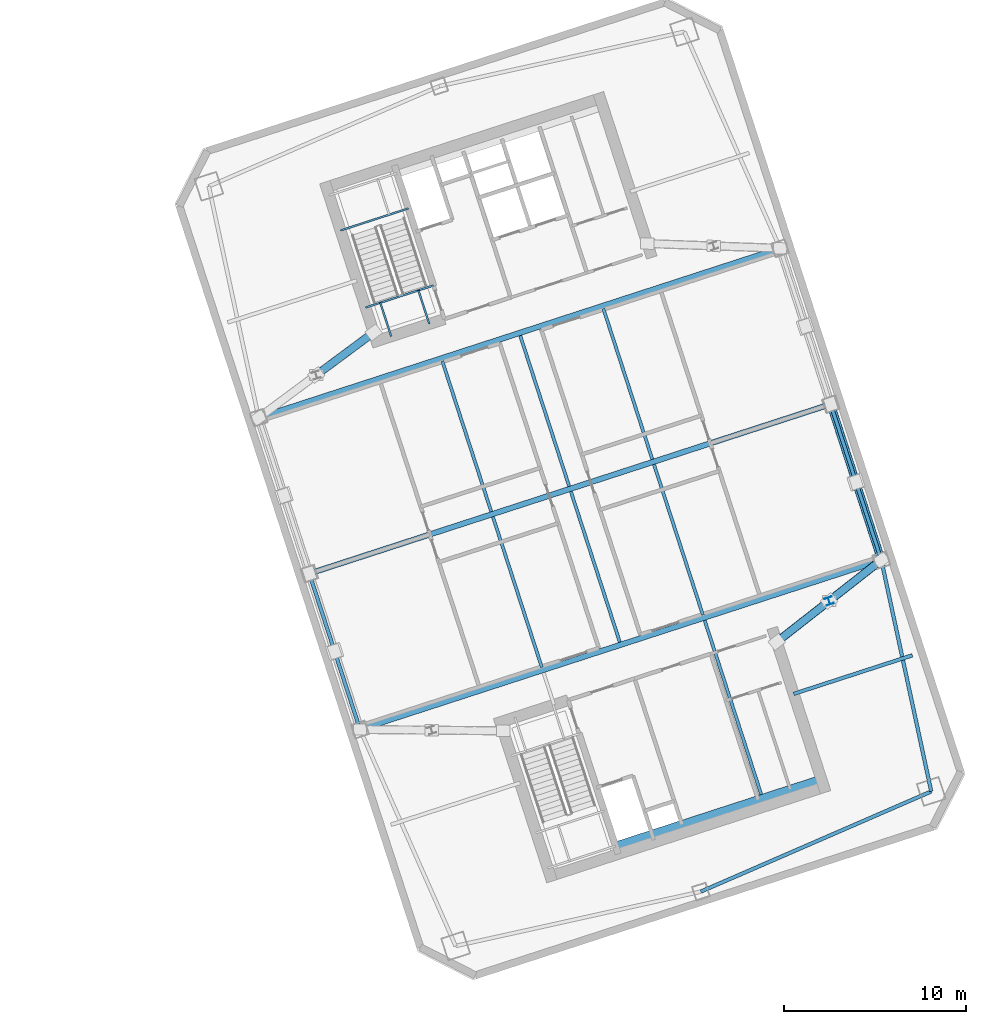
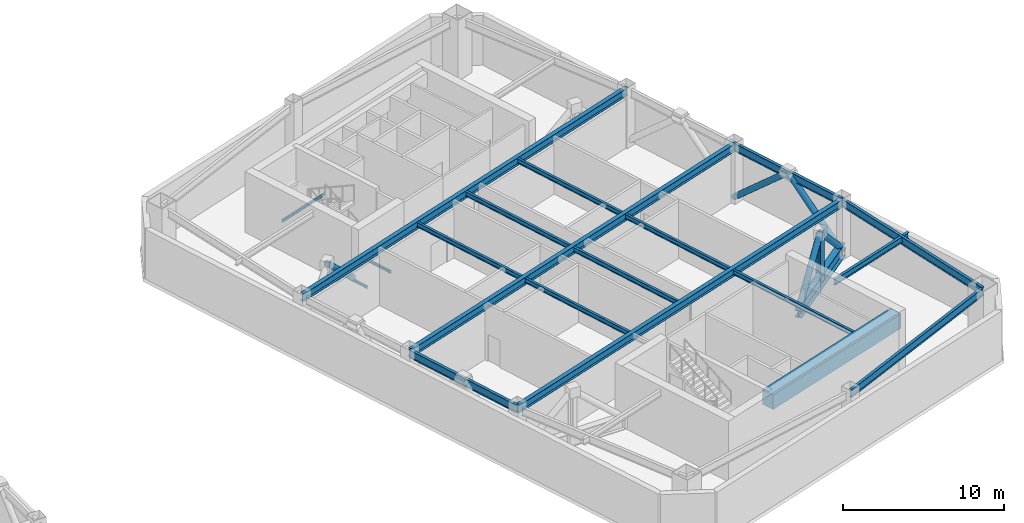
# One storey, part 7 of 17: 21 beams, 6 members.
"""IFC4 building model written with IfcOpenShell, lengths in metres."""

from ifc_helpers import new_model, si_unit, direction, frame, origin, origin_2d, place, context, subcontext, project, spatial, rectangle, hollow_circle, i_section, extrude, material, material_profile, profile_set, type_object, element, save


model = new_model("IFC4")

# Units and contexts
model_context = context("Model", 3, precision=1e-05, world=origin(), true_north=direction((0.0, 1.0)))
body_context = subcontext(model_context, "Body", "Model", "MODEL_VIEW")
ifc_project = project(units=[si_unit("LENGTHUNIT", "METRE"), si_unit("AREAUNIT", "SQUARE_METRE"), si_unit("VOLUMEUNIT", "CUBIC_METRE"), si_unit("PLANEANGLEUNIT", "RADIAN"), si_unit("MASSUNIT", "GRAM", prefix="KILO")], contexts=[model_context])

# Site, building, storey
site_placement = place(None, origin())
site = spatial("IfcSite", under=ifc_project, at=site_placement, CompositionType="ELEMENT")
building_placement = place(site_placement, origin())
building = spatial("IfcBuilding", under=site, at=building_placement, Name="Qiaolan Cultural Towers", CompositionType="ELEMENT")
storey_placement = place(building_placement, frame((0.0, 0.0, 184.0)))
storey = spatial("IfcBuildingStorey", under=building, at=storey_placement, Name="L49", CompositionType="ELEMENT", Elevation=184.0)

# Beams
ifc_material_1 = material(Name="Steel Q390GJB", Category="steel")
ifc_material_profile_1 = material_profile(ifc_material_1, i_section(OverallWidth=0.449951171875, OverallDepth=1.0, WebThickness=0.02392578125, FlangeThickness=0.0400390625, at=origin_2d()), Name="BH1000x450x24x40")
ifc_profile_set_1 = profile_set([ifc_material_profile_1], Name="Steel Q390GJB")
beam_type_1 = type_object("IfcBeamType", Name="BM-BH1000x450x24x40", PredefinedType="BEAM", material=ifc_profile_set_1)
beam_1_placement = place(storey_placement, frame((101.352294921875, 25.5966796875, 0.5), z_axis=(0.787455543468, 0.616371452179, 0.0), x_axis=(-0.616371452179, 0.787455543468, 0.0)))
element("IfcBeam", 1, at=beam_1_placement, inside=storey, type_object=beam_type_1, Name="L49 T2 Outrigger Bottom Chord Girder ES", PredefinedType="BEAM", context=body_context, shape_type="SweptSolid", body=[
    extrude(i_section(OverallWidth=0.449951171875, OverallDepth=1.0, WebThickness=0.02392578125, FlangeThickness=0.0400390625, at=origin_2d()), origin(), (0.0, 0.0, 1.0), 7.2919921875),
])
ifc_material_2 = material(Name="Steel Q355B", Category="steel")
ifc_material_profile_2 = material_profile(ifc_material_2, i_section(OverallWidth=0.300048828125, OverallDepth=0.587890625, WebThickness=0.011962890625, FlangeThickness=0.02001953125, at=origin_2d()), Name="HM588x300x12x20")
ifc_profile_set_2 = profile_set([ifc_material_profile_2], Name="Steel Q355B")
beam_type_2 = type_object("IfcBeamType", Name="BM-HM588x300x12x20", PredefinedType="BEAM", material=ifc_profile_set_2)
beam_2_placement = place(storey_placement, frame((78.4677734375, 20.789794921875, 4.0458984375), z_axis=(0.951055226628, 0.309020963535, 0.0), x_axis=(-0.309020963535, 0.951055226628, 0.0)))
element("IfcBeam", 2, at=beam_2_placement, inside=storey, type_object=beam_type_2, Name="L49 T2 Primary Transverse Girder V1", PredefinedType="BEAM", context=body_context, shape_type="SweptSolid", body=[
    extrude(i_section(OverallWidth=0.300048828125, OverallDepth=0.587890625, WebThickness=0.011962890625, FlangeThickness=0.02001953125, at=origin_2d()), origin(), (0.0, 0.0, 1.0), 30.099853515625),
])
beam_3_placement = place(storey_placement, frame((75.6865234375, 29.349365234375, 4.0458984375), z_axis=(0.951058384903, 0.309011243331, 0.0), x_axis=(-0.309011243331, 0.951058384903, 0.0)))
element("IfcBeam", 3, at=beam_3_placement, inside=storey, type_object=beam_type_2, Name="L49 T2 Primary Transverse Girder V2", PredefinedType="BEAM", context=body_context, shape_type="SweptSolid", body=[
    extrude(i_section(OverallWidth=0.300048828125, OverallDepth=0.587890625, WebThickness=0.011962890625, FlangeThickness=0.02001953125, at=origin_2d()), origin(), (0.0, 0.0, 1.0), 30.10009765625),
])
beam_4_placement = place(storey_placement, frame((72.905517578125, 37.90869140625, 4.0458984375), z_axis=(0.951055226628, 0.309020963535, 0.0), x_axis=(-0.309020963535, 0.951055226628, 0.0)))
element("IfcBeam", 4, at=beam_4_placement, inside=storey, type_object=beam_type_2, Name="L49 T2 Primary Transverse Girder V3", PredefinedType="BEAM", context=body_context, shape_type="SweptSolid", body=[
    extrude(i_section(OverallWidth=0.300048828125, OverallDepth=0.587890625, WebThickness=0.011962890625, FlangeThickness=0.02001953125, at=origin_2d()), origin(), (0.0, 0.0, 1.0), 30.099853515625),
])
ifc_material_3 = material(Name="Steel Q355B", Category="steel")
ifc_material_profile_3 = material_profile(ifc_material_3, i_section(OverallWidth=0.175048828125, OverallDepth=0.35009765625, WebThickness=0.007080078125, FlangeThickness=0.010986328125, at=origin_2d()), Name="HN350x175x7x11")
ifc_profile_set_3 = profile_set([ifc_material_profile_3], Name="Steel Q355B")
beam_type_3 = type_object("IfcBeamType", Name="BM-JST-HN350x175x7x11", PredefinedType="JOIST", material=ifc_profile_set_3)
for number, where, z_axis, x_axis, name in (
    (5, (88.455078125, 24.192626953125, 4.1650390625), (-0.309020714809, 0.951055307445, 0.0), (-0.951055307445, -0.309020714809, 0.0), "L49 T2 Secondary Floor Joist U1-2"),
    (6, (85.673828125, 32.752197265625, 4.1650390625), (-0.309020714809, 0.951055307445, 0.0), (-0.951055307445, -0.309020714809, 0.0), "L49 T2 Secondary Floor Joist U1-3"),
    (7, (92.73486328125, 25.583251953125, 4.1650390625), (-0.309020714809, 0.951055307445, 0.0), (-0.951055307445, -0.309020714809, 0.0), "L49 T2 Secondary Floor Joist U2-2"),
    (8, (89.95361328125, 34.142578125, 4.1650390625), (-0.309020714809, 0.951055307445, 0.0), (-0.951055307445, -0.309020714809, 0.0), "L49 T2 Secondary Floor Joist U2-3"),
):
    element("IfcBeam", number, at=place(storey_placement, frame(where, z_axis=z_axis, x_axis=x_axis)), inside=storey, type_object=beam_type_3, Name=name, PredefinedType="JOIST", context=body_context, shape_type="SweptSolid", body=[
        extrude(i_section(OverallWidth=0.175048828125, OverallDepth=0.35009765625, WebThickness=0.007080078125, FlangeThickness=0.010986328125, at=origin_2d()), origin(), (0.0, 0.0, 1.0), 8.699951171875),
    ])
beam_5_placement = place(storey_placement, frame((100.498291015625, 17.222900390625, 4.1650390625), z_axis=(-0.309025649293, 0.951053704098, 0.0), x_axis=(-0.951053704098, -0.309025649293, 0.0)))
element("IfcBeam", 9, at=beam_5_placement, inside=storey, type_object=beam_type_3, Name="L49 T2 Secondary Floor Joist U3-1", PredefinedType="JOIST", context=body_context, shape_type="SweptSolid", body=[
    extrude(i_section(OverallWidth=0.175048828125, OverallDepth=0.35009765625, WebThickness=0.007080078125, FlangeThickness=0.010986328125, at=origin_2d()), origin(), (0.0, 0.0, 1.0), 10.050048828125),
])
for number, where, z_axis, x_axis, name in (
    (10, (97.2998046875, 27.06640625, 4.1650390625), (-0.309020714809, 0.951055307445, 0.0), (-0.951055307445, -0.309020714809, 0.0), "L49 T2 Secondary Floor Joist U3-2"),
    (11, (94.518798828125, 35.6259765625, 4.1650390625), (-0.309020714809, 0.951055307445, 0.0), (-0.951055307445, -0.309020714809, 0.0), "L49 T2 Secondary Floor Joist U3-3"),
):
    element("IfcBeam", number, at=place(storey_placement, frame(where, z_axis=z_axis, x_axis=x_axis)), inside=storey, type_object=beam_type_3, Name=name, PredefinedType="JOIST", context=body_context, shape_type="SweptSolid", body=[
        extrude(i_section(OverallWidth=0.175048828125, OverallDepth=0.35009765625, WebThickness=0.007080078125, FlangeThickness=0.010986328125, at=origin_2d()), origin(), (0.0, 0.0, 1.0), 8.699951171875),
    ])
ifc_material_4 = material(Name="Steel Q355B", Category="steel")
ifc_material_profile_4 = material_profile(ifc_material_4, i_section(OverallWidth=0.199951171875, OverallDepth=0.449951171875, WebThickness=0.009033203125, FlangeThickness=0.013916015625, at=origin_2d()), Name="HN450x200x9x14")
ifc_profile_set_4 = profile_set([ifc_material_profile_4], Name="Steel Q355B")
beam_type_4 = type_object("IfcBeamType", Name="BM-LNT-HN450x200x9x14", PredefinedType="LINTEL", material=ifc_profile_set_4)
beam_6_placement = place(storey_placement, frame((102.279296875, 22.74365234375, 4.114990234375), z_axis=(0.951061565824, 0.30900145309, 0.0), x_axis=(-0.30900145309, 0.951061565824, 0.0)))
element("IfcBeam", 12, at=beam_6_placement, inside=storey, type_object=beam_type_4, Name="L49 T2 Core Flank Tie Lintel ES", PredefinedType="LINTEL", context=body_context, shape_type="SweptSolid", body=[
    extrude(i_section(OverallWidth=0.199951171875, OverallDepth=0.449951171875, WebThickness=0.009033203125, FlangeThickness=0.013916015625, at=origin_2d()), origin(), (0.0, 0.0, 1.0), 6.85009765625),
])
ifc_material_5 = material(Name="Concrete C50", Category="concrete")
ifc_material_profile_5 = material_profile(ifc_material_5, rectangle(XDim=0.89990234375, YDim=1.10009765625, at=origin_2d()), Name="RC900x1100")
ifc_profile_set_5 = profile_set([ifc_material_profile_5], Name="Concrete C50")
beam_type_5 = type_object("IfcBeamType", Name="BM-RC900x1100", PredefinedType="BEAM", material=ifc_profile_set_5)
beam_7_placement = place(storey_placement, frame((92.572265625, 14.174560546875, 3.7900390625), z_axis=(0.951056266386, 0.309017763514, 0.0), x_axis=(-0.309017763514, 0.951056266386, 0.0)))
element("IfcBeam", 13, at=beam_7_placement, inside=storey, type_object=beam_type_5, Name="L49 T2 Core Header Girder S", PredefinedType="BEAM", context=body_context, shape_type="SweptSolid", body=[
    extrude(rectangle(XDim=0.89990234375, YDim=1.10009765625, at=origin_2d()), origin(), (0.0, 0.0, 1.0), 11.880126953125),
])
ifc_material_6 = material(Name="Steel Q355B", Category="steel")
ifc_material_profile_6 = material_profile(ifc_material_6, i_section(OverallWidth=0.199951171875, OverallDepth=0.60009765625, WebThickness=0.010986328125, FlangeThickness=0.01708984375, at=origin_2d()), Name="HN600x200x11x17")
ifc_profile_set_6 = profile_set([ifc_material_profile_6], Name="Steel Q355B")
beam_type_6 = type_object("IfcBeamType", Name="BM-SPD-HN600x200x11x17", PredefinedType="SPANDREL", material=ifc_profile_set_6)
beam_8_placement = place(storey_placement, frame((97.1845703125, 11.887939453125, 4.0400390625), z_axis=(0.917117043091, 0.398618024268, 0.0), x_axis=(-0.398618024268, 0.917117043091, 0.0)))
element("IfcBeam", 14, at=beam_8_placement, inside=storey, type_object=beam_type_6, Name="L49 T2 Perimeter Spandrel Beam 2", PredefinedType="SPANDREL", context=body_context, shape_type="SweptSolid", body=[
    extrude(i_section(OverallWidth=0.199951171875, OverallDepth=0.60009765625, WebThickness=0.010986328125, FlangeThickness=0.01708984375, at=origin_2d()), origin(), (0.0, 0.0, 1.0), 13.79345703125),
])
beam_9_placement = place(storey_placement, frame((109.834716796875, 17.38623046875, 4.0400390625), z_axis=(-0.210832241173, 0.977522258612, 0.0), x_axis=(-0.977522258612, -0.210832241173, 0.0)))
element("IfcBeam", 15, at=beam_9_placement, inside=storey, type_object=beam_type_6, Name="L49 T2 Perimeter Spandrel Beam 3", PredefinedType="SPANDREL", context=body_context, shape_type="SweptSolid", body=[
    extrude(i_section(OverallWidth=0.199951171875, OverallDepth=0.60009765625, WebThickness=0.010986328125, FlangeThickness=0.01708984375, at=origin_2d()), origin(), (0.0, 0.0, 1.0), 12.997314453125),
])
beam_10_placement = place(storey_placement, frame((107.094482421875, 30.09130859375, 4.0400390625), z_axis=(-0.309008170129, 0.951059383421, 0.0), x_axis=(-0.951059383421, -0.309008170129, 0.0)))
element("IfcBeam", 16, at=beam_10_placement, inside=storey, type_object=beam_type_6, Name="L49 T2 Perimeter Spandrel Beam 4", PredefinedType="SPANDREL", context=body_context, shape_type="SweptSolid", body=[
    extrude(i_section(OverallWidth=0.199951171875, OverallDepth=0.60009765625, WebThickness=0.010986328125, FlangeThickness=0.01708984375, at=origin_2d()), origin(), (0.0, 0.0, 1.0), 8.999755859375),
])
beam_11_placement = place(storey_placement, frame((75.6865234375, 29.349365234375, 4.0400390625), z_axis=(0.309024734286, -0.951054001411, 0.0), x_axis=(0.951054001411, 0.309024734286, 0.0)))
element("IfcBeam", 17, at=beam_11_placement, inside=storey, type_object=beam_type_6, Name="L49 T2 Perimeter Spandrel Beam 11", PredefinedType="SPANDREL", context=body_context, shape_type="SweptSolid", body=[
    extrude(i_section(OverallWidth=0.199951171875, OverallDepth=0.60009765625, WebThickness=0.010986328125, FlangeThickness=0.01708984375, at=origin_2d()), origin(), (0.0, 0.0, 1.0), 9.0),
])
ifc_material_7 = material(Name="Steel Q355B", Category="steel")
ifc_material_profile_7 = material_profile(ifc_material_7, i_section(OverallWidth=0.10009765625, OverallDepth=0.199951171875, WebThickness=0.005615234375, FlangeThickness=0.008056640625, at=origin_2d()), Name="HN200x100x5.5x8")
ifc_profile_set_7 = profile_set([ifc_material_profile_7], Name="Steel Q355B")
beam_type_7 = type_object("IfcBeamType", Name="BM-STTRIM-200", PredefinedType="BEAM", material=ifc_profile_set_7)
beam_12_placement = place(storey_placement, frame((78.773193359375, 43.958251953125, -0.4599609375), z_axis=(0.951072048947, 0.3089691857, 0.0), x_axis=(-0.3089691857, 0.951072048947, 0.0)))
element("IfcBeam", 18, at=beam_12_placement, inside=storey, type_object=beam_type_7, Name="L49 ST-E2 Floor Landing Header Beam", PredefinedType="BEAM", context=body_context, shape_type="SweptSolid", body=[
    extrude(i_section(OverallWidth=0.10009765625, OverallDepth=0.199951171875, WebThickness=0.005615234375, FlangeThickness=0.008056640625, at=origin_2d()), origin(), (0.0, 0.0, 1.0), 3.920166015625),
])
for number, where, z_axis, x_axis, name in (
    (19, (80.18115234375, 42.375732421875, -0.4599609375), (-0.308969394428, 0.951071981138, 0.0), (-0.951071981138, -0.308969394428, 0.0), "L49 ST-E2 Floor Landing Stringer 1"),
    (20, (82.2734375, 43.0556640625, -0.4599609375), (-0.308969394428, 0.951071981138, 0.0), (-0.951071981138, -0.308969394428, 0.0), "L49 ST-E2 Floor Landing Stringer 2"),
):
    element("IfcBeam", number, at=place(storey_placement, frame(where, z_axis=z_axis, x_axis=x_axis)), inside=storey, type_object=beam_type_7, Name=name, PredefinedType="BEAM", context=body_context, shape_type="SweptSolid", body=[
        extrude(i_section(OverallWidth=0.10009765625, OverallDepth=0.199951171875, WebThickness=0.005615234375, FlangeThickness=0.008056640625, at=origin_2d()), origin(), (0.0, 0.0, 1.0), 1.93994140625),
    ])
beam_13_placement = place(storey_placement, frame((77.398681640625, 48.189208984375, 2.0), z_axis=(0.951066103084, 0.308987487715, 0.0), x_axis=(-0.308987487715, 0.951066103084, 0.0)))
element("IfcBeam", 21, at=beam_13_placement, inside=storey, type_object=beam_type_7, Name="L49 ST-E2 Stair Landing Support Beam 1-1", PredefinedType="BEAM", context=body_context, shape_type="SweptSolid", body=[
    extrude(i_section(OverallWidth=0.10009765625, OverallDepth=0.199951171875, WebThickness=0.005615234375, FlangeThickness=0.008056640625, at=origin_2d()), origin(), (0.0, 0.0, 1.0), 3.919921875),
])

# Members
ifc_material_8 = material(Name="Steel Q355B", Category="steel")
ifc_material_profile_8 = material_profile(ifc_material_8, hollow_circle(Radius=0.212890625, WallThickness=0.02001953125, at=origin_2d()), Name="CHS426x20")
ifc_profile_set_8 = profile_set([ifc_material_profile_8], Name="Steel Q355B")
member_type_1 = type_object("IfcMemberType", Name="MBR-BRC-CHS426x20", PredefinedType="BRACE", material=ifc_profile_set_8)
member_1_placement = place(storey_placement, frame((79.21826171875, 42.588623046875, 0.5), z_axis=(-0.593820455194, -0.440186808151, 0.673507862555), x_axis=(0.595506876858, -0.803350209818, 0.0)))
element("IfcMember", 22, at=member_1_placement, inside=storey, type_object=member_type_1, Name="L49 T2 Outrigger Truss Diagonal WN-1", PredefinedType="BRACE", context=body_context, shape_type="SweptSolid", body=[
    extrude(hollow_circle(Radius=0.212890625, WallThickness=0.02001953125, at=origin_2d()), origin(), (0.0, 0.0, 1.0), 5.315673828125),
])
for number, where, z_axis, x_axis, name in (
    (23, (101.352294921875, 25.5966796875, 0.5), (0.561874435387, 0.439800525318, 0.700623020452), (-0.616371452179, 0.787455543468, 0.0), "L49 T2 Outrigger Truss Diagonal ES-1"),
    (24, (104.223388671875, 27.843994140625, 4.080078125), (0.561874435387, 0.439800525318, -0.700623020452), (-0.616371452179, 0.787455543468, 0.0), "L49 T2 Outrigger Truss Diagonal ES-2"),
):
    element("IfcMember", number, at=place(storey_placement, frame(where, z_axis=z_axis, x_axis=x_axis)), inside=storey, type_object=member_type_1, Name=name, PredefinedType="BRACE", context=body_context, shape_type="SweptSolid", body=[
        extrude(hollow_circle(Radius=0.212890625, WallThickness=0.02001953125, at=origin_2d()), origin(), (0.0, 0.0, 1.0), 5.10986328125),
    ])
member_2_placement = place(storey_placement, frame((107.094482421875, 30.09130859375, 0.199951171875), z_axis=(-0.231486300221, 0.712381207265, 0.662515741961), x_axis=(-0.951048820056, -0.309040679961, 0.0)))
element("IfcMember", 25, at=member_2_placement, inside=storey, type_object=member_type_1, Name="L49 T2 Perimeter Belt Truss E1-A", PredefinedType="BRACE", context=body_context, shape_type="SweptSolid", body=[
    extrude(hollow_circle(Radius=0.212890625, WallThickness=0.02001953125, at=origin_2d()), origin(), (0.0, 0.0, 1.0), 6.00732421875),
])
member_3_placement = place(storey_placement, frame((105.703857421875, 34.370849609375, 4.179931640625), z_axis=(-0.23144113653, 0.71240792333, -0.662502793276), x_axis=(-0.951069945308, -0.308975661068, 0.0)))
element("IfcMember", 26, at=member_3_placement, inside=storey, type_object=member_type_1, Name="L49 T2 Perimeter Belt Truss E1-B", PredefinedType="BRACE", context=body_context, shape_type="SweptSolid", body=[
    extrude(hollow_circle(Radius=0.212890625, WallThickness=0.02001953125, at=origin_2d()), origin(), (0.0, 0.0, 1.0), 6.007568359375),
])
ifc_material_9 = material(Name="Steel Q355B", Category="steel")
ifc_material_profile_9 = material_profile(ifc_material_9, i_section(OverallWidth=0.39990234375, OverallDepth=0.39990234375, WebThickness=0.012939453125, FlangeThickness=0.02099609375, at=origin_2d()), Name="HW400x400x13x21")
ifc_profile_set_9 = profile_set([ifc_material_profile_9], Name="Steel Q355B")
member_type_2 = type_object("IfcMemberType", Name="MBR-POST-HW400x400x13x21", PredefinedType="STUD", material=ifc_profile_set_9)
member_4_placement = place(storey_placement, frame((104.223388671875, 27.843994140625, 0.5), z_axis=(0.0, 0.0, 1.0), x_axis=(0.951056516295, 0.309016994375, 0.0)))
element("IfcMember", 27, at=member_4_placement, inside=storey, type_object=member_type_2, Name="L49 T2 Outrigger King Web ES", PredefinedType="STUD", context=body_context, shape_type="SweptSolid", body=[
    extrude(i_section(OverallWidth=0.39990234375, OverallDepth=0.39990234375, WebThickness=0.012939453125, FlangeThickness=0.02099609375, at=origin_2d()), origin(), (0.0, 0.0, 1.0), 3.580078125),
])

save(model, "model.ifc")
